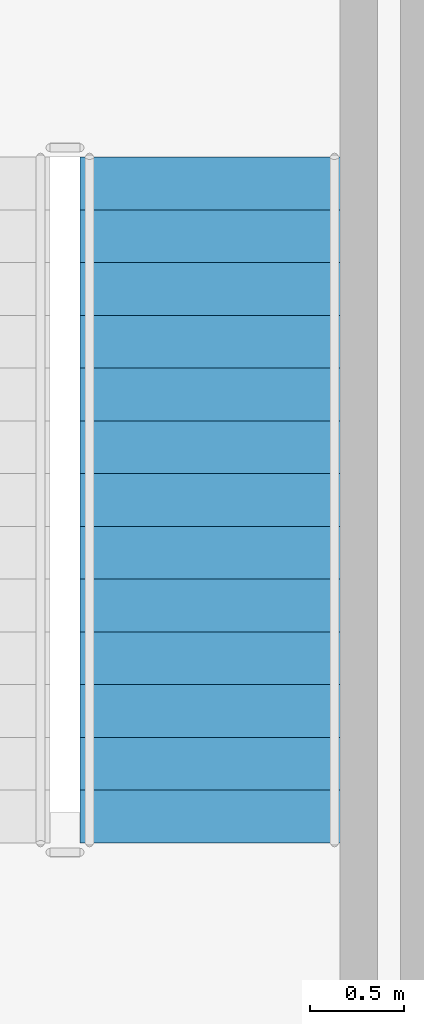
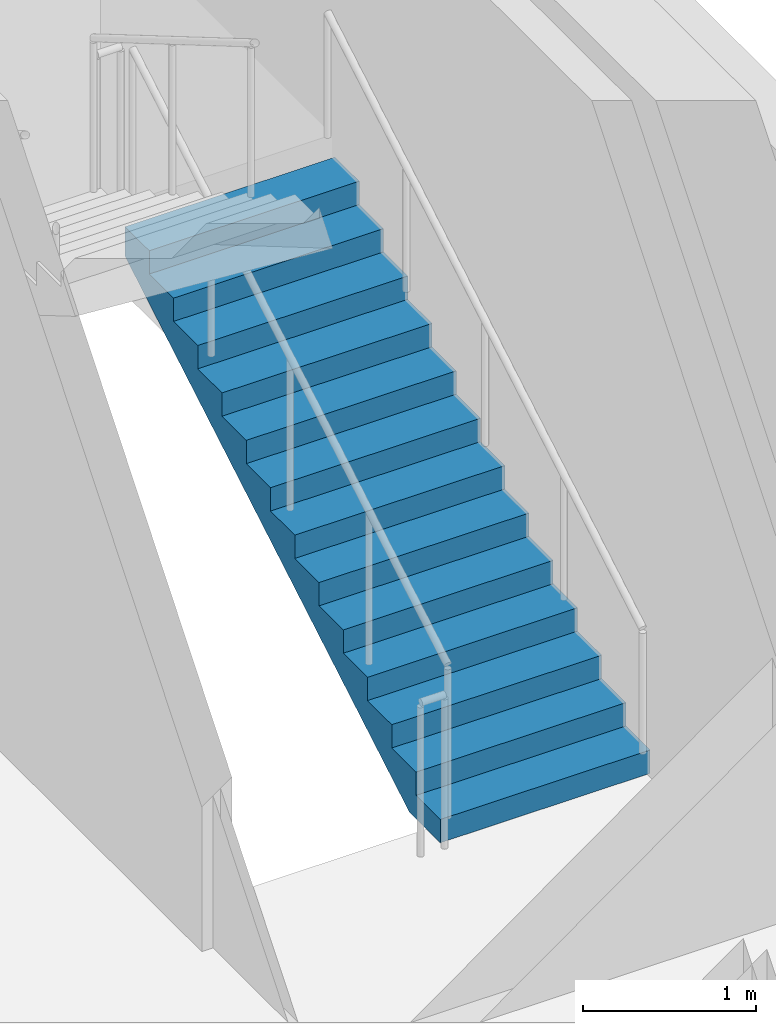
# One storey, part 5 of 9: 1 stair flight, 1 element without a shape of its own.
"""IFC4 building model written with IfcOpenShell, lengths in metres."""

from ifc_helpers import new_model, si_unit, direction, frame, origin, place, context, subcontext, project, spatial, polyline, outline, extrude, material, type_object, element, aggregate, save


model = new_model("IFC4")

# Units and contexts
model_context = context("Model", 3, precision=1e-05, world=origin(), true_north=direction((0.0, 1.0)))
body_context = subcontext(model_context, "Body", "Model", "MODEL_VIEW")
ifc_project = project(units=[si_unit("LENGTHUNIT", "METRE"), si_unit("AREAUNIT", "SQUARE_METRE"), si_unit("VOLUMEUNIT", "CUBIC_METRE"), si_unit("PLANEANGLEUNIT", "RADIAN"), si_unit("MASSUNIT", "GRAM", prefix="KILO")], contexts=[model_context])

# Site, building, storey
site_placement = place(None, origin())
site = spatial("IfcSite", under=ifc_project, at=site_placement, CompositionType="ELEMENT")
building_placement = place(site_placement, origin())
building = spatial("IfcBuilding", under=site, at=building_placement, Name="Kuzgunbayir Cultural Tower", CompositionType="ELEMENT")
storey_placement = place(building_placement, frame((0.0, 0.0, 21.800048828125)))
storey = spatial("IfcBuildingStorey", under=building, at=storey_placement, Name="L05", CompositionType="ELEMENT", Elevation=21.800048828125)

# Stair, stair flight
ifc_material = material(Name="Concrete C40/50", Category="concrete")
stair_type = type_object("IfcStairType", Name="STR-EXIT-CORE", PredefinedType="HALF_TURN_STAIR", material=ifc_material)
stair_placement = place(storey_placement, origin())
stair = element("IfcStair", 1, at=stair_placement, inside=storey, type_object=stair_type, Name="L05 ST-4", PredefinedType="HALF_TURN_STAIR")
stair_flight_type = type_object("IfcStairFlightType", Name="STRF-RC-140", PredefinedType="STRAIGHT", material=ifc_material)
stair_flight_placement = place(storey_placement, frame((71.10009765625, 35.5, 0.0), z_axis=(0.0, 0.0, 1.0), x_axis=(0.0, 1.0, 0.0)))
stair_flight = element("IfcStairFlight", 2, at=stair_flight_placement, type_object=stair_flight_type, Name="ST-4 flight 1", NumberOfRisers=14, NumberOfTreads=13, PredefinedType="STRAIGHT", RiserHeight=0.164285714, TreadLength=0.28, context=body_context, shape_type="SweptSolid", body=[
    extrude(outline(polyline([(0.0, 0.0), (0.0, 0.164306640625), (0.280029296875, 0.164306640625), (0.280029296875, 0.32861328125), (0.56005859375, 0.32861328125), (0.56005859375, 0.492919921875), (0.840087890625, 0.492919921875), (0.840087890625, 0.6572265625), (1.1201171875, 0.6572265625), (1.1201171875, 0.821533203125), (1.39990234375, 0.821533203125), (1.39990234375, 0.985595703125), (1.679931640625, 0.985595703125), (1.679931640625, 1.14990234375), (1.9599609375, 1.14990234375), (1.9599609375, 1.314208984375), (2.239990234375, 1.314208984375), (2.239990234375, 1.478515625), (2.52001953125, 1.478515625), (2.52001953125, 1.642822265625), (2.800048828125, 1.642822265625), (2.800048828125, 1.80712890625), (3.080078125, 1.80712890625), (3.080078125, 1.971435546875), (3.360107421875, 1.971435546875), (3.360107421875, 2.1357421875), (3.639892578125, 2.1357421875), (3.639892578125, 2.300048828125), (3.639892578125, 1.927001953125), (0.35546875, 0.0), (0.0, 0.0)])), frame((0.0, 0.699951171875, 0.0), z_axis=(0.0, -1.0, 0.0), x_axis=(1.0, 0.0, 0.0)), (0.0, 0.0, 1.0), 1.39990234375),
])
aggregate(stair, [stair_flight])

save(model, "model.ifc")
